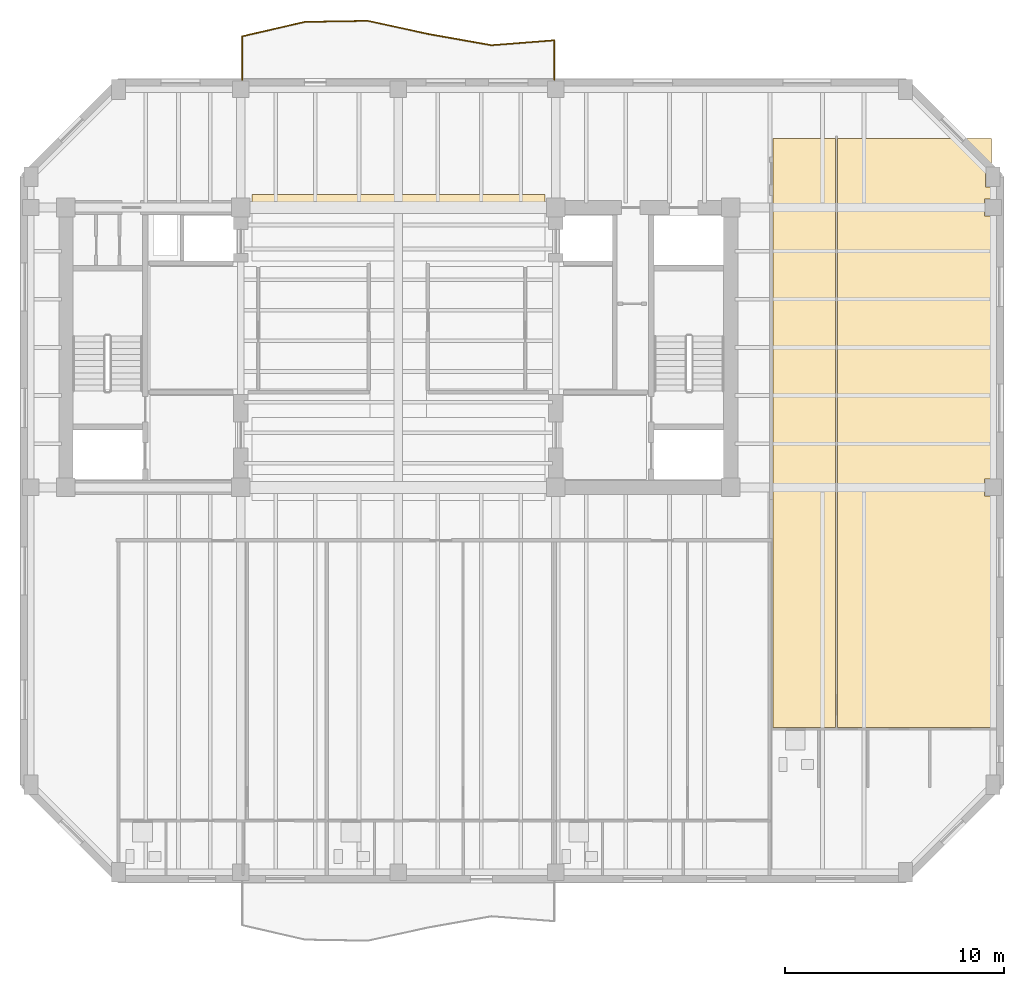
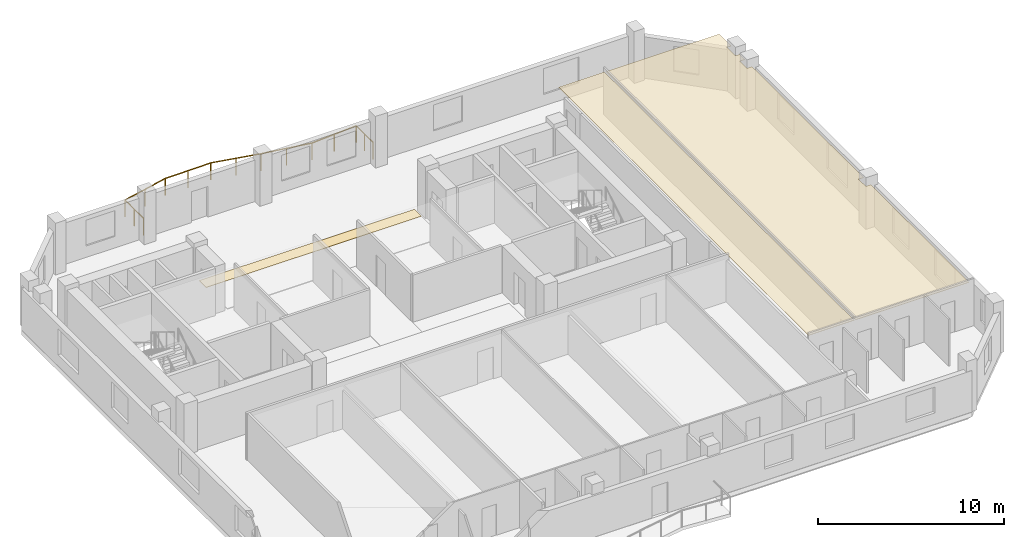
# One storey, part 8 of 9: 3 coverings, 1 railing.
"""IFC4 building model written with IfcOpenShell, lengths in metres."""

from ifc_helpers import new_model, si_unit, direction, frame, origin, origin_2d, place, context, subcontext, project, spatial, polyline, circle, outline, extrude, material, layer, layer_set, type_object, element, save


model = new_model("IFC4")

# Units and contexts
model_context = context("Model", 3, precision=1e-05, world=origin(), true_north=direction((0.0, 1.0)))
body_context = subcontext(model_context, "Body", "Model", "MODEL_VIEW")
ifc_project = project(units=[si_unit("LENGTHUNIT", "METRE"), si_unit("AREAUNIT", "SQUARE_METRE"), si_unit("VOLUMEUNIT", "CUBIC_METRE"), si_unit("PLANEANGLEUNIT", "RADIAN"), si_unit("MASSUNIT", "GRAM", prefix="KILO")], contexts=[model_context])

# Site, building, storey
site_placement = place(None, origin())
site = spatial("IfcSite", under=ifc_project, at=site_placement, CompositionType="ELEMENT")
building_placement = place(site_placement, origin())
building = spatial("IfcBuilding", under=site, at=building_placement, Name="Kranthara Brick Stack", CompositionType="ELEMENT")
storey_placement = place(building_placement, frame((0.0, 0.0, 231.300048828125)))
storey = spatial("IfcBuildingStorey", under=building, at=storey_placement, Name="L60", CompositionType="ELEMENT", Elevation=231.300048828125)

# Coverings
ifc_material_1 = material(Name="Perforated mineral-fibre acoustic ceiling tile", Category="other")
ifc_layer_1 = layer(ifc_material_1, 0.02490234375)
ifc_layer_set_1 = layer_set([ifc_layer_1], Name="Perforated mineral-fibre acoustic ceiling tile")
covering_type_1 = type_object("IfcCoveringType", Name="COV-CEIL-ACOUSTIC", PredefinedType="CEILING", material=ifc_layer_set_1)
covering_1_placement = place(storey_placement, frame((0.0, 0.0, 2.829833984375)))
element("IfcCovering", 1, at=covering_1_placement, inside=storey, type_object=covering_type_1, Name="L60 Unit L60D 2-Bed Apartment Living Dining Acoustic Ceiling", PredefinedType="CEILING", context=body_context, shape_type="SweptSolid", body=[
    extrude(outline(polyline([(47.987060546875, 9.830078125), (47.987060546875, 36.75), (45.139892578125, 36.75), (45.139892578125, 9.830078125), (47.987060546875, 9.830078125)])), origin(), (0.0, 0.0, 1.0), 0.025146484375),
])
covering_2_placement = place(storey_placement, frame((0.0, 0.0, 2.829833984375)))
element("IfcCovering", 2, at=covering_2_placement, inside=storey, type_object=covering_type_1, Name="L60 Unit L60D Private Study Room Acoustic Ceiling", PredefinedType="CEILING", context=body_context, shape_type="SweptSolid", body=[
    extrude(outline(polyline([(48.0869140625, 36.75), (55.1298828125, 36.75), (55.1298828125, 35.4599609375), (54.864990234375, 35.4599609375), (54.864990234375, 34.5400390625), (55.1298828125, 34.5400390625), (55.1298828125, 33.985107421875), (54.81494140625, 33.985107421875), (54.81494140625, 33.215087890625), (55.1298828125, 33.215087890625), (55.1298828125, 21.18505859375), (54.81494140625, 21.18505859375), (54.81494140625, 20.4150390625), (55.1298828125, 20.4150390625), (55.1298828125, 9.830078125), (48.0869140625, 9.830078125), (48.0869140625, 36.75)])), origin(), (0.0, 0.0, 1.0), 0.025146484375),
])
ifc_material_2 = material(Name="Honed terrazzo and porcelain floor finish", Category="stone")
ifc_layer_2 = layer(ifc_material_2, 0.030029296875)
ifc_layer_set_2 = layer_set([ifc_layer_2], Name="Honed terrazzo and porcelain floor finish")
covering_type_2 = type_object("IfcCoveringType", Name="COV-FLOR-STONE", PredefinedType="FLOORING", material=ifc_layer_set_2)
covering_3_placement = place(storey_placement, origin())
element("IfcCovering", 3, at=covering_3_placement, inside=storey, type_object=covering_type_2, Name="L60 Lift Lobby Stone Flooring", PredefinedType="FLOORING", context=body_context, shape_type="SweptSolid", body=[
    extrude(outline(polyline([(34.699951171875, 33.449951171875), (21.300048828125, 33.449951171875), (21.300048828125, 34.199951171875), (34.699951171875, 34.199951171875), (34.699951171875, 33.449951171875)])), origin(), (0.0, 0.0, 1.0), 0.030029296875),
])

# Railing
ifc_material_3 = material(Name="Bronze anodised aluminium and laminated glass balustrade", Category="aluminium")
railing_type = type_object("IfcRailingType", Name="RL-BALC-1120", PredefinedType="BALUSTRADE", material=ifc_material_3)
railing_placement = place(storey_placement, frame((20.860107421875, 39.43994140625, 0.0)))
element("IfcRailing", 4, at=railing_placement, inside=storey, type_object=railing_type, Name="L60 North Rippling Balcony Balustrade", PredefinedType="BALUSTRADE", context=body_context, shape_type="SweptSolid", body=[
    extrude(circle(Radius=0.02392578125, at=origin_2d()), frame((0.0, 0.0, 1.09619140625), z_axis=(-0.000122759636, 0.999999992465, 0.0), x_axis=(-0.999999992465, -0.000122759636, 0.0)), (0.0, 0.0, 1.0), 1.98876953125),
    extrude(circle(Radius=0.02392578125, at=origin_2d()), frame((-0.000244140625, 1.98876953125, 1.09619140625), z_axis=(0.974513641731, 0.224328246281, 0.0), x_axis=(-0.224328246281, 0.974513641731, 0.0)), (0.0, 0.0, 1.0), 2.95361328125),
    extrude(circle(Radius=0.02392578125, at=origin_2d()), frame((2.878173828125, 2.6513671875, 1.09619140625), z_axis=(0.999866590095, 0.016334075155, 0.0), x_axis=(-0.016334075155, 0.999866590095, 0.0)), (0.0, 0.0, 1.0), 2.869873046875),
    extrude(circle(Radius=0.02392578125, at=origin_2d()), frame((5.74755859375, 2.6982421875, 1.09619140625), z_axis=(0.977092508843, -0.212815011602, 0.0), x_axis=(0.212815011602, 0.977092508843, 0.0)), (0.0, 0.0, 1.0), 2.840576171875),
    extrude(circle(Radius=0.02392578125, at=origin_2d()), frame((8.52294921875, 2.09375, 1.09619140625), z_axis=(0.984575943586, -0.174957741503, 0.0), x_axis=(0.174957741503, 0.984575943586, 0.0)), (0.0, 0.0, 1.0), 2.922119140625),
    extrude(circle(Radius=0.02392578125, at=origin_2d()), frame((11.39990234375, 1.58251953125, 1.09619140625), z_axis=(0.996952700055, 0.078008421681, 0.0), x_axis=(-0.078008421681, 0.996952700055, 0.0)), (0.0, 0.0, 1.0), 2.888671875),
    extrude(circle(Radius=0.02392578125, at=origin_2d()), frame((14.27978515625, 1.807861328125, 1.09619140625), z_axis=(0.0, -1.0, 0.0), x_axis=(1.0, 0.0, 0.0)), (0.0, 0.0, 1.0), 1.807861328125),
    extrude(circle(Radius=0.02099609375, at=origin_2d()), origin(), (0.0, 0.0, 1.0), 1.072021484375),
    extrude(circle(Radius=0.02099609375, at=origin_2d()), frame((0.0, 0.994384765625, 0.0)), (0.0, 0.0, 1.0), 1.072021484375),
    extrude(circle(Radius=0.02099609375, at=origin_2d()), frame((-0.000244140625, 1.98876953125, 0.0)), (0.0, 0.0, 1.0), 1.072021484375),
    extrude(circle(Radius=0.02099609375, at=origin_2d()), frame((1.43896484375, 2.320068359375, 0.0)), (0.0, 0.0, 1.0), 1.072021484375),
    extrude(circle(Radius=0.02099609375, at=origin_2d()), frame((2.878173828125, 2.6513671875, 0.0)), (0.0, 0.0, 1.0), 1.072021484375),
    extrude(circle(Radius=0.02099609375, at=origin_2d()), frame((4.31298828125, 2.6748046875, 0.0)), (0.0, 0.0, 1.0), 1.072021484375),
    extrude(circle(Radius=0.02099609375, at=origin_2d()), frame((5.74755859375, 2.6982421875, 0.0)), (0.0, 0.0, 1.0), 1.072021484375),
    extrude(circle(Radius=0.02099609375, at=origin_2d()), frame((7.13525390625, 2.39599609375, 0.0)), (0.0, 0.0, 1.0), 1.072021484375),
    extrude(circle(Radius=0.02099609375, at=origin_2d()), frame((8.52294921875, 2.09375, 0.0)), (0.0, 0.0, 1.0), 1.072021484375),
    extrude(circle(Radius=0.02099609375, at=origin_2d()), frame((9.96142578125, 1.838134765625, 0.0)), (0.0, 0.0, 1.0), 1.072021484375),
    extrude(circle(Radius=0.02099609375, at=origin_2d()), frame((11.39990234375, 1.58251953125, 0.0)), (0.0, 0.0, 1.0), 1.072021484375),
    extrude(circle(Radius=0.02099609375, at=origin_2d()), frame((12.83984375, 1.6953125, 0.0)), (0.0, 0.0, 1.0), 1.072021484375),
    extrude(circle(Radius=0.02099609375, at=origin_2d()), frame((14.27978515625, 1.807861328125, 0.0)), (0.0, 0.0, 1.0), 1.072021484375),
    extrude(circle(Radius=0.02099609375, at=origin_2d()), frame((14.27978515625, 0.90380859375, 0.0)), (0.0, 0.0, 1.0), 1.072021484375),
    extrude(circle(Radius=0.02099609375, at=origin_2d()), frame((14.27978515625, 0.0, 0.0)), (0.0, 0.0, 1.0), 1.072021484375),
])

save(model, "model.ifc")
